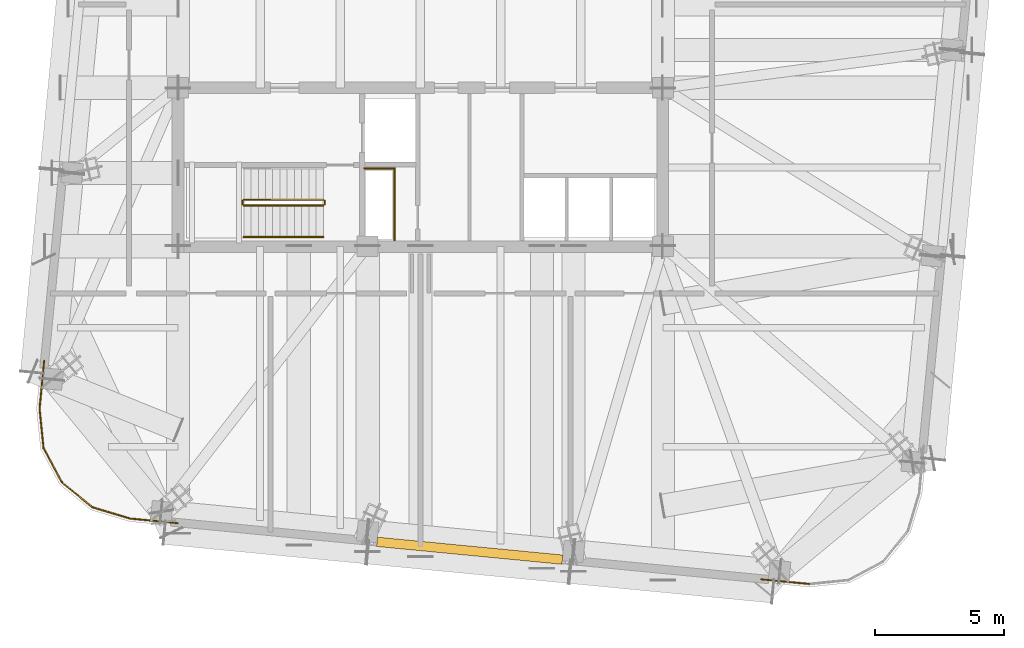
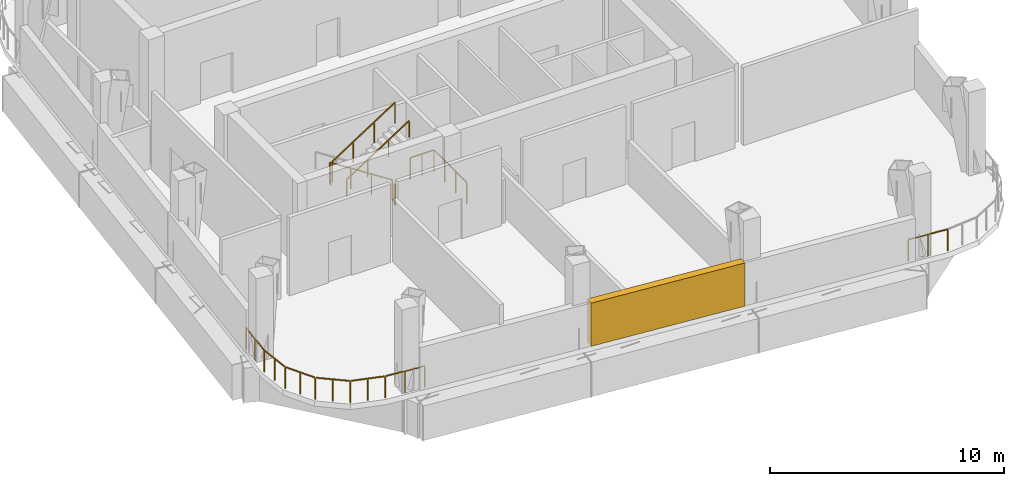
# One storey, part 7 of 9: 8 railings, 1 shading device.
"""IFC4 building model written with IfcOpenShell, lengths in metres."""

from ifc_helpers import new_model, si_unit, direction, frame, origin, origin_2d, place, context, subcontext, project, spatial, rectangle, extrude, material, type_object, element, save


model = new_model("IFC4")

# Units and contexts
model_context = context("Model", 3, precision=1e-05, world=origin(), true_north=direction((0.0, 1.0)))
body_context = subcontext(model_context, "Body", "Model", "MODEL_VIEW")
ifc_project = project(units=[si_unit("LENGTHUNIT", "METRE"), si_unit("AREAUNIT", "SQUARE_METRE"), si_unit("VOLUMEUNIT", "CUBIC_METRE"), si_unit("PLANEANGLEUNIT", "RADIAN"), si_unit("MASSUNIT", "GRAM", prefix="KILO")], contexts=[model_context])

# Site, building, storey
site_placement = place(None, origin())
site = spatial("IfcSite", under=ifc_project, at=site_placement, CompositionType="ELEMENT")
building_placement = place(site_placement, origin())
building = spatial("IfcBuilding", under=site, at=building_placement, Name="Qhalaya Broadcast Tower", CompositionType="ELEMENT")
storey_placement = place(building_placement, frame((0.0, 0.0, 284.89990234375)))
storey = spatial("IfcBuildingStorey", under=building, at=storey_placement, Name="L84", CompositionType="ELEMENT", Elevation=284.89990234375)

# Shading device
ifc_material_1 = material(Name="Fired Architectural Terracotta", Category="masonry")
shading_device_type = type_object("IfcShadingDeviceType", Name="Plant & Turbine-Slot Acoustic Louvre Screen LVS-01", PredefinedType="USERDEFINED", material=ifc_material_1)
shading_device_placement = place(storey_placement, frame((1.90478515625, -20.521484375, 0.0), z_axis=(0.0, 0.0, 1.0), x_axis=(-0.995396198367, 0.09584575252, 0.0)))
element("IfcShadingDevice", 1, at=shading_device_placement, inside=storey, type_object=shading_device_type, Name="L84 Plant Acoustic Louvre Screen S", ObjectType="LOUVRE", PredefinedType="USERDEFINED", context=body_context, shape_type="SweptSolid", body=[
    extrude(rectangle(XDim=7.199951171875, YDim=0.360107421875, at=origin_2d()), origin(), (0.0, 0.0, 1.0), 2.25),
])

# Railings
ifc_material_2 = material(Name="Powder-Coated Galvanised Steel", Category="steel")
railing_type_1 = type_object("IfcRailingType", Name="Stair Wall Handrail 900", PredefinedType="HANDRAIL", material=ifc_material_2)
railing_1_placement = place(storey_placement, frame((-6.830078125, -8.389892578125, 2.3564453125)))
element("IfcRailing", 2, at=railing_1_placement, inside=storey, type_object=railing_type_1, Name="L84 ST-2 Stair Handrail 2", PredefinedType="HANDRAIL", context=body_context, shape_type="SweptSolid", body=[
    extrude(rectangle(XDim=0.048095703125, YDim=0.048095703125, at=origin_2d()), frame((0.0, 0.0, 0.8759765625), z_axis=(0.839488025565, 0.0, 0.543378187759), x_axis=(0.0, 1.0, 0.0)), (0.0, 0.0, 1.0), 3.6689453125),
    extrude(rectangle(XDim=0.0419921875, YDim=0.0419921875, at=origin_2d()), origin(), (0.0, 0.0, 1.0), 0.849853515625),
    extrude(rectangle(XDim=0.0419921875, YDim=0.0419921875, at=origin_2d()), frame((1.026611328125, 0.0, 0.66455078125)), (0.0, 0.0, 1.0), 0.849853515625),
    extrude(rectangle(XDim=0.0419921875, YDim=0.0419921875, at=origin_2d()), frame((2.053466796875, 0.0, 1.3291015625)), (0.0, 0.0, 1.0), 0.849853515625),
    extrude(rectangle(XDim=0.0419921875, YDim=0.0419921875, at=origin_2d()), frame((3.080078125, 0.0, 1.99365234375)), (0.0, 0.0, 1.0), 0.849853515625),
])
railing_type_2 = type_object("IfcRailingType", Name="Stair Well & Landing Guardrail 1100", PredefinedType="GUARDRAIL", material=ifc_material_2)
railing_2_placement = place(storey_placement, frame((-1.0, -8.52001953125, 0.0)))
element("IfcRailing", 3, at=railing_2_placement, inside=storey, type_object=railing_type_2, Name="L84 Service Riser Opening Safety Guard SRSR", PredefinedType="GUARDRAIL", context=body_context, shape_type="SweptSolid", body=[
    extrude(rectangle(XDim=0.048095703125, YDim=0.048095703125, at=origin_2d()), frame((0.0, 0.0, 1.1259765625), z_axis=(0.0, 1.0, 0.0), x_axis=(-1.0, 0.0, 0.0)), (0.0, 0.0, 1.0), 2.751220703125),
    extrude(rectangle(XDim=0.048095703125, YDim=0.048095703125, at=origin_2d()), frame((-0.02880859375, 2.780029296875, 1.1259765625), z_axis=(-1.0, 0.0, 0.0), x_axis=(0.0, -1.0, 0.0)), (0.0, 0.0, 1.0), 1.151123046875),
    extrude(rectangle(XDim=0.0419921875, YDim=0.0419921875, at=origin_2d()), origin(), (0.0, 0.0, 1.0), 1.099853515625),
    extrude(rectangle(XDim=0.0419921875, YDim=0.0419921875, at=origin_2d()), frame((0.0, 0.9267578125, 0.0)), (0.0, 0.0, 1.0), 1.099853515625),
    extrude(rectangle(XDim=0.0419921875, YDim=0.0419921875, at=origin_2d()), frame((0.0, 1.853271484375, 0.0)), (0.0, 0.0, 1.0), 1.099853515625),
    extrude(rectangle(XDim=0.0419921875, YDim=0.0419921875, at=origin_2d()), frame((0.0, 2.780029296875, 0.0)), (0.0, 0.0, 1.0), 1.099853515625),
    extrude(rectangle(XDim=0.0419921875, YDim=0.0419921875, at=origin_2d()), frame((-0.58984375, 2.780029296875, 0.0)), (0.0, 0.0, 1.0), 1.099853515625),
    extrude(rectangle(XDim=0.0419921875, YDim=0.0419921875, at=origin_2d()), frame((-1.179931640625, 2.780029296875, 0.0)), (0.0, 0.0, 1.0), 1.099853515625),
])
railing_3_placement = place(storey_placement, frame((-3.75, -6.949951171875, 0.181396484375)))
element("IfcRailing", 4, at=railing_3_placement, inside=storey, type_object=railing_type_2, Name="L84 ST-2 Stair Guard 1", PredefinedType="GUARDRAIL", context=body_context, shape_type="SweptSolid", body=[
    extrude(rectangle(XDim=0.048095703125, YDim=0.048095703125, at=origin_2d()), frame((0.0, 0.0, 1.076171875), z_axis=(-0.839488025565, 0.0, 0.543378187759), x_axis=(0.0, -1.0, 0.0)), (0.0, 0.0, 1.0), 3.6689453125),
    extrude(rectangle(XDim=0.0419921875, YDim=0.0419921875, at=origin_2d()), origin(), (0.0, 0.0, 1.0), 1.050048828125),
    extrude(rectangle(XDim=0.0419921875, YDim=0.0419921875, at=origin_2d()), frame((-1.026611328125, 0.0, 0.66455078125)), (0.0, 0.0, 1.0), 1.050048828125),
    extrude(rectangle(XDim=0.0419921875, YDim=0.0419921875, at=origin_2d()), frame((-2.053466796875, 0.0, 1.3291015625)), (0.0, 0.0, 1.0), 1.050048828125),
    extrude(rectangle(XDim=0.0419921875, YDim=0.0419921875, at=origin_2d()), frame((-3.080078125, 0.0, 1.99365234375)), (0.0, 0.0, 1.0), 1.050048828125),
])
railing_4_placement = place(storey_placement, frame((-6.8798828125, -7.0, 2.175048828125)))
element("IfcRailing", 5, at=railing_4_placement, inside=storey, type_object=railing_type_2, Name="L84 ST-2 Stair Guard 2", PredefinedType="GUARDRAIL", context=body_context, shape_type="SweptSolid", body=[
    extrude(rectangle(XDim=0.048095703125, YDim=0.048095703125, at=origin_2d()), frame((0.0, 0.0, 1.076171875), z_axis=(0.0, -1.0, 0.0), x_axis=(1.0, 0.0, 0.0)), (0.0, 0.0, 1.0), 0.1201171875),
    extrude(rectangle(XDim=0.0419921875, YDim=0.0419921875, at=origin_2d()), origin(), (0.0, 0.0, 1.0), 1.050048828125),
    extrude(rectangle(XDim=0.0419921875, YDim=0.0419921875, at=origin_2d()), frame((0.0, -0.1201171875, 0.0)), (0.0, 0.0, 1.0), 1.050048828125),
])
railing_5_placement = place(storey_placement, frame((-6.830078125, -7.169921875, 2.3564453125)))
element("IfcRailing", 6, at=railing_5_placement, inside=storey, type_object=railing_type_2, Name="L84 ST-2 Stair Guard 3", PredefinedType="GUARDRAIL", context=body_context, shape_type="SweptSolid", body=[
    extrude(rectangle(XDim=0.048095703125, YDim=0.048095703125, at=origin_2d()), frame((0.0, 0.0, 1.076171875), z_axis=(0.839488025565, 0.0, 0.543378187759), x_axis=(0.0, 1.0, 0.0)), (0.0, 0.0, 1.0), 3.6689453125),
    extrude(rectangle(XDim=0.0419921875, YDim=0.0419921875, at=origin_2d()), origin(), (0.0, 0.0, 1.0), 1.050048828125),
    extrude(rectangle(XDim=0.0419921875, YDim=0.0419921875, at=origin_2d()), frame((1.026611328125, 0.0, 0.66455078125)), (0.0, 0.0, 1.0), 1.050048828125),
    extrude(rectangle(XDim=0.0419921875, YDim=0.0419921875, at=origin_2d()), frame((2.053466796875, 0.0, 1.3291015625)), (0.0, 0.0, 1.0), 1.050048828125),
    extrude(rectangle(XDim=0.0419921875, YDim=0.0419921875, at=origin_2d()), frame((3.080078125, 0.0, 1.99365234375)), (0.0, 0.0, 1.0), 1.050048828125),
])
railing_6_placement = place(storey_placement, frame((-3.699951171875, -7.0, 0.0)))
element("IfcRailing", 7, at=railing_6_placement, inside=storey, type_object=railing_type_2, Name="L84 ST-2 Stair Guard 4", PredefinedType="GUARDRAIL", context=body_context, shape_type="SweptSolid", body=[
    extrude(rectangle(XDim=0.048095703125, YDim=0.048095703125, at=origin_2d()), frame((0.0, 0.0, 1.076171875), z_axis=(0.0, -1.0, 0.0), x_axis=(1.0, 0.0, 0.0)), (0.0, 0.0, 1.0), 0.1201171875),
    extrude(rectangle(XDim=0.0419921875, YDim=0.0419921875, at=origin_2d()), origin(), (0.0, 0.0, 1.0), 1.050048828125),
    extrude(rectangle(XDim=0.0419921875, YDim=0.0419921875, at=origin_2d()), frame((0.0, -0.1201171875, 0.0)), (0.0, 0.0, 1.0), 1.050048828125),
])
railing_type_3 = type_object("IfcRailingType", Name="Terrace, Sky-Pool & Lookout Glass Balustrade 1150", PredefinedType="BALUSTRADE", material=ifc_material_2)
railing_7_placement = place(storey_placement, frame((15.030517578125, -21.805419921875, 0.0)))
element("IfcRailing", 8, at=railing_7_placement, inside=storey, type_object=railing_type_3, Name="L84 Rounded Corner Perimeter Guard 01", PredefinedType="BALUSTRADE", context=body_context, shape_type="SweptSolid", body=[
    extrude(rectangle(XDim=0.048095703125, YDim=0.048095703125, at=origin_2d()), frame((0.0, 0.0, 1.1259765625), z_axis=(-0.995392627918, 0.095882825813, 0.0), x_axis=(-0.095882825813, -0.995392627918, 0.0)), (0.0, 0.0, 1.0), 1.856201171875),
    extrude(rectangle(XDim=0.0419921875, YDim=0.0419921875, at=origin_2d()), origin(), (0.0, 0.0, 1.0), 1.099853515625),
    extrude(rectangle(XDim=0.0419921875, YDim=0.0419921875, at=origin_2d()), frame((-0.923828125, 0.0888671875, 0.0)), (0.0, 0.0, 1.0), 1.099853515625),
    extrude(rectangle(XDim=0.0419921875, YDim=0.0419921875, at=origin_2d()), frame((-1.84765625, 0.177978515625, 0.0)), (0.0, 0.0, 1.0), 1.099853515625),
])
railing_8_placement = place(storey_placement, frame((-9.376953125, -19.455322265625, 0.0)))
element("IfcRailing", 9, at=railing_8_placement, inside=storey, type_object=railing_type_3, Name="L84 Rounded Corner Perimeter Guard 02", PredefinedType="BALUSTRADE", context=body_context, shape_type="SweptSolid", body=[
    extrude(rectangle(XDim=0.048095703125, YDim=0.048095703125, at=origin_2d()), frame((0.0, 0.0, 1.1259765625), z_axis=(-0.995392627918, 0.095882825813, 0.0), x_axis=(-0.095882825813, -0.995392627918, 0.0)), (0.0, 0.0, 1.0), 1.827392578125),
    extrude(rectangle(XDim=0.048095703125, YDim=0.048095703125, at=origin_2d()), frame((-1.875244140625, 0.186279296875, 1.1259765625), z_axis=(-0.957574748886, 0.288185010533, 0.0), x_axis=(-0.288185010533, -0.957574748886, 0.0)), (0.0, 0.0, 1.0), 1.46728515625),
    extrude(rectangle(XDim=0.048095703125, YDim=0.048095703125, at=origin_2d()), frame((-3.330322265625, 0.6357421875, 1.1259765625), z_axis=(-0.774388490212, 0.632710412611, 0.0), x_axis=(-0.632710412611, -0.774388490212, 0.0)), (0.0, 0.0, 1.0), 1.455322265625),
    extrude(rectangle(XDim=0.048095703125, YDim=0.048095703125, at=origin_2d()), frame((-4.4931640625, 1.60009765625, 1.1259765625), z_axis=(-0.473291304579, 0.880905977395, 0.0), x_axis=(-0.880905977395, -0.473291304579, 0.0)), (0.0, 0.0, 1.0), 1.455322265625),
    extrude(rectangle(XDim=0.048095703125, YDim=0.048095703125, at=origin_2d()), frame((-5.198486328125, 2.936279296875, 1.1259765625), z_axis=(-0.100216970219, 0.994965606883, 0.0), x_axis=(-0.994965606883, -0.100216970219, 0.0)), (0.0, 0.0, 1.0), 1.46728515625),
    extrude(rectangle(XDim=0.048095703125, YDim=0.048095703125, at=origin_2d()), frame((-5.345703125, 4.45361328125, 1.1259765625), z_axis=(0.09575250603, 0.995405172575, 0.0), x_axis=(-0.995405172575, 0.09575250603, 0.0)), (0.0, 0.0, 1.0), 1.827392578125),
    extrude(rectangle(XDim=0.0419921875, YDim=0.0419921875, at=origin_2d()), origin(), (0.0, 0.0, 1.0), 1.099853515625),
    extrude(rectangle(XDim=0.0419921875, YDim=0.0419921875, at=origin_2d()), frame((-0.923828125, 0.0888671875, 0.0)), (0.0, 0.0, 1.0), 1.099853515625),
    extrude(rectangle(XDim=0.0419921875, YDim=0.0419921875, at=origin_2d()), frame((-1.84765625, 0.177978515625, 0.0)), (0.0, 0.0, 1.0), 1.099853515625),
    extrude(rectangle(XDim=0.0419921875, YDim=0.0419921875, at=origin_2d()), frame((-2.57763671875, 0.397705078125, 0.0)), (0.0, 0.0, 1.0), 1.099853515625),
    extrude(rectangle(XDim=0.0419921875, YDim=0.0419921875, at=origin_2d()), frame((-3.307861328125, 0.617431640625, 0.0)), (0.0, 0.0, 1.0), 1.099853515625),
    extrude(rectangle(XDim=0.0419921875, YDim=0.0419921875, at=origin_2d()), frame((-3.8935546875, 1.09619140625, 0.0)), (0.0, 0.0, 1.0), 1.099853515625),
    extrude(rectangle(XDim=0.0419921875, YDim=0.0419921875, at=origin_2d()), frame((-4.4794921875, 1.57470703125, 0.0)), (0.0, 0.0, 1.0), 1.099853515625),
    extrude(rectangle(XDim=0.0419921875, YDim=0.0419921875, at=origin_2d()), frame((-4.83740234375, 2.2412109375, 0.0)), (0.0, 0.0, 1.0), 1.099853515625),
    extrude(rectangle(XDim=0.0419921875, YDim=0.0419921875, at=origin_2d()), frame((-5.195556640625, 2.907470703125, 0.0)), (0.0, 0.0, 1.0), 1.099853515625),
    extrude(rectangle(XDim=0.0419921875, YDim=0.0419921875, at=origin_2d()), frame((-5.27197265625, 3.666015625, 0.0)), (0.0, 0.0, 1.0), 1.099853515625),
    extrude(rectangle(XDim=0.0419921875, YDim=0.0419921875, at=origin_2d()), frame((-5.348388671875, 4.4248046875, 0.0)), (0.0, 0.0, 1.0), 1.099853515625),
    extrude(rectangle(XDim=0.0419921875, YDim=0.0419921875, at=origin_2d()), frame((-5.259521484375, 5.3486328125, 0.0)), (0.0, 0.0, 1.0), 1.099853515625),
    extrude(rectangle(XDim=0.0419921875, YDim=0.0419921875, at=origin_2d()), frame((-5.170654296875, 6.2724609375, 0.0)), (0.0, 0.0, 1.0), 1.099853515625),
])

save(model, "model.ifc")
